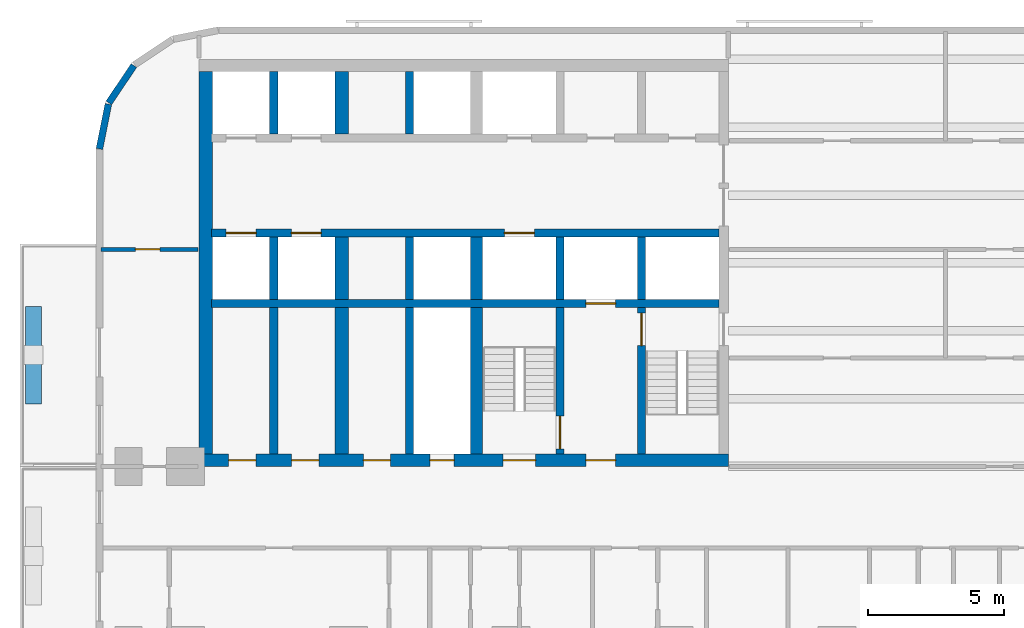
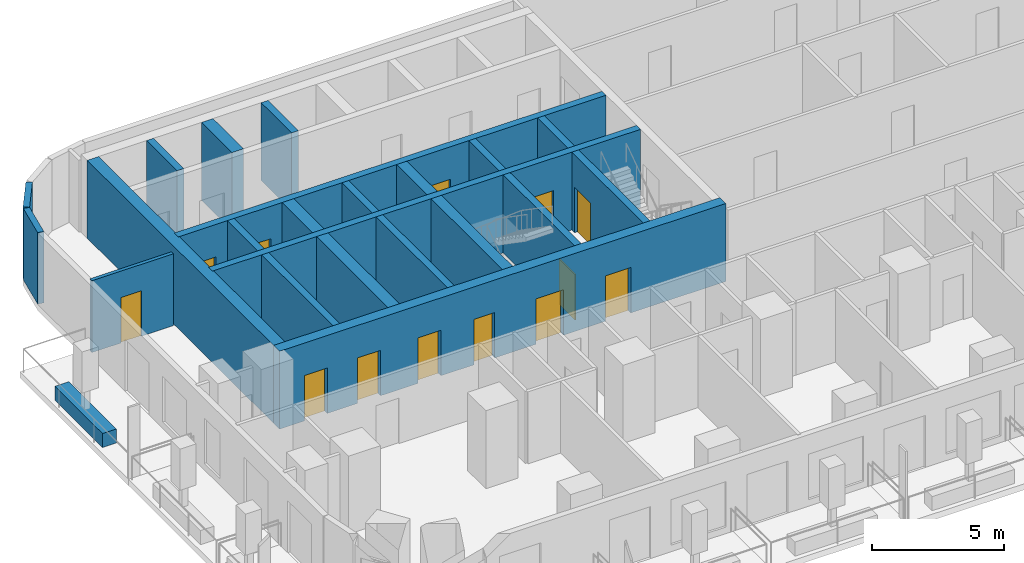
# One storey, part 3 of 14: 23 walls, 13 doors, 13 openings.
"""IFC4 building model written with IfcOpenShell, lengths in metres."""

from ifc_helpers import new_model, si_unit, direction, frame, frame_2d, origin, place, context, subcontext, project, spatial, rectangle, extrude, material, layer, layer_set, type_object, element, fill, save


model = new_model("IFC4")

# Units and contexts
model_context = context("Model", 3, precision=1e-05, world=origin(), true_north=direction((0.0, 1.0)))
body_context = subcontext(model_context, "Body", "Model", "MODEL_VIEW")
ifc_project = project(units=[si_unit("LENGTHUNIT", "METRE"), si_unit("AREAUNIT", "SQUARE_METRE"), si_unit("VOLUMEUNIT", "CUBIC_METRE"), si_unit("PLANEANGLEUNIT", "RADIAN"), si_unit("MASSUNIT", "GRAM", prefix="KILO")], contexts=[model_context])

# Site, building, storey
site_placement = place(None, origin())
site = spatial("IfcSite", under=ifc_project, at=site_placement, CompositionType="ELEMENT")
building_placement = place(site_placement, origin())
building = spatial("IfcBuilding", under=site, at=building_placement, Name="Torana Hotel and Residences", CompositionType="ELEMENT")
storey_placement = place(building_placement, frame((0.0, 0.0, 103.199951171875)))
storey = spatial("IfcBuildingStorey", under=building, at=storey_placement, Name="L26", CompositionType="ELEMENT", Elevation=103.199951171875)

# Wall, openings, doors
ifc_material_1 = material(Name="Concrete C80/95", Category="concrete")
ifc_layer_1 = layer(ifc_material_1, 0.300048828125)
ifc_layer_set_1 = layer_set([ifc_layer_1], Name="CORE WALL 300 C80/95")
wall_type_1 = type_object("IfcWallType", Name="CORE WALL 300 C80/95", PredefinedType="SHEAR", material=ifc_layer_set_1)
wall_1_placement = place(storey_placement, frame((-29.050048828125, -6.39990234375, 0.0), z_axis=(0.0, 0.0, 1.0), x_axis=(1.0, 0.0, 0.0)))
wall_1 = element("IfcWall", 1, at=wall_1_placement, inside=storey, type_object=wall_type_1, Name="Core wall W row-S", PredefinedType="SHEAR", context=body_context, shape_type="SweptSolid", body=[
    extrude(rectangle(XDim=18.699951171875, YDim=0.300048828125, at=frame_2d((9.35009765625, 0.0))), origin(), (0.0, 0.0, 1.0), 3.60009765625),
])
opening_1_placement = place(wall_1_placement, frame((2.949951171875, 0.0, 0.0)))
opening_1 = element("IfcOpeningElement", 2, at=opening_1_placement, cuts=wall_1, Name="Opening LD", PredefinedType="OPENING", context=body_context, shape_type="SweptSolid", body=[
    extrude(rectangle(XDim=1.10009765625, YDim=2.10009765625, at=frame_2d((0.550048828125, 1.050048828125))), frame((0.0, 0.159912109375, 0.0), z_axis=(0.0, -1.0, 0.0), x_axis=(1.0, 0.0, 0.0)), (0.0, 0.0, 1.0), 0.320068359375),
])
opening_2_placement = place(wall_1_placement, frame((0.550048828125, 0.0, 0.0)))
opening_2 = element("IfcOpeningElement", 3, at=opening_2_placement, cuts=wall_1, Name="Opening LD", PredefinedType="OPENING", context=body_context, shape_type="SweptSolid", body=[
    extrude(rectangle(XDim=1.10009765625, YDim=2.10009765625, at=frame_2d((0.550048828125, 1.050048828125))), frame((0.0, 0.159912109375, 0.0), z_axis=(0.0, -1.0, 0.0), x_axis=(1.0, 0.0, 0.0)), (0.0, 0.0, 1.0), 0.320068359375),
])
opening_3_placement = place(wall_1_placement, frame((10.800048828125, 0.0, 0.0)))
opening_3 = element("IfcOpeningElement", 4, at=opening_3_placement, cuts=wall_1, Name="Opening LD", PredefinedType="OPENING", context=body_context, shape_type="SweptSolid", body=[
    extrude(rectangle(XDim=1.10009765625, YDim=2.10009765625, at=frame_2d((0.550048828125, 1.050048828125))), frame((0.0, 0.159912109375, 0.0), z_axis=(0.0, -1.0, 0.0), x_axis=(1.0, 0.0, 0.0)), (0.0, 0.0, 1.0), 0.320068359375),
])
ifc_material_2 = material(Name="Stainless steel 316", Category="steel")
door_type_1 = type_object("IfcDoorType", Name="LIFT LANDING DOOR LD 1100x2100", OperationType="DOUBLE_DOOR_SLIDING", PredefinedType="USERDEFINED", material=ifc_material_2)
door_1_placement = place(opening_1_placement, origin())
door_1 = element("IfcDoor", 5, at=door_1_placement, inside=storey, type_object=door_type_1, Name="Lift landing door L3 L26", ObjectType="LIFT LANDING DOOR", OperationType="DOUBLE_DOOR_SLIDING", OverallHeight=2.10009765625, OverallWidth=1.10009765625, PredefinedType="USERDEFINED", context=body_context, shape_type="SweptSolid", body=[
    extrude(rectangle(XDim=1.10009765625, YDim=2.10009765625, at=frame_2d((0.550048828125, 1.050048828125))), frame((0.0, 0.02490234375, 0.0), z_axis=(0.0, -1.0, 0.0), x_axis=(1.0, 0.0, 0.0)), (0.0, 0.0, 1.0), 0.050048828125),
])
fill(opening_1, door_1)
door_2_placement = place(opening_2_placement, origin())
door_2 = element("IfcDoor", 6, at=door_2_placement, inside=storey, type_object=door_type_1, Name="Lift landing door L4 L26", ObjectType="LIFT LANDING DOOR", OperationType="DOUBLE_DOOR_SLIDING", OverallHeight=2.10009765625, OverallWidth=1.10009765625, PredefinedType="USERDEFINED", context=body_context, shape_type="SweptSolid", body=[
    extrude(rectangle(XDim=1.10009765625, YDim=2.10009765625, at=frame_2d((0.550048828125, 1.050048828125))), frame((0.0, 0.02490234375, 0.0), z_axis=(0.0, -1.0, 0.0), x_axis=(1.0, 0.0, 0.0)), (0.0, 0.0, 1.0), 0.050048828125),
])
fill(opening_2, door_2)
door_3_placement = place(opening_3_placement, origin())
door_3 = element("IfcDoor", 7, at=door_3_placement, inside=storey, type_object=door_type_1, Name="Lift landing door SV1 L26", ObjectType="LIFT LANDING DOOR", OperationType="DOUBLE_DOOR_SLIDING", OverallHeight=2.10009765625, OverallWidth=1.10009765625, PredefinedType="USERDEFINED", context=body_context, shape_type="SweptSolid", body=[
    extrude(rectangle(XDim=1.10009765625, YDim=2.10009765625, at=frame_2d((0.550048828125, 1.050048828125))), frame((0.0, 0.02490234375, 0.0), z_axis=(0.0, -1.0, 0.0), x_axis=(1.0, 0.0, 0.0)), (0.0, 0.0, 1.0), 0.050048828125),
])
fill(opening_3, door_3)

# Wall, opening, door
wall_2_placement = place(storey_placement, frame((-29.050048828125, -9.0, 0.0), z_axis=(0.0, 0.0, 1.0), x_axis=(1.0, 0.0, 0.0)))
wall_2 = element("IfcWall", 8, at=wall_2_placement, inside=storey, type_object=wall_type_1, Name="Core wall W band", PredefinedType="SHEAR", context=body_context, shape_type="SweptSolid", body=[
    extrude(rectangle(XDim=18.699951171875, YDim=0.300048828125, at=frame_2d((9.35009765625, 0.0))), origin(), (0.0, 0.0, 1.0), 3.60009765625),
])
opening_4_placement = place(wall_2_placement, frame((13.800048828125, 0.0, 0.0)))
opening_4 = element("IfcOpeningElement", 9, at=opening_4_placement, cuts=wall_2, Name="Opening LD", PredefinedType="OPENING", context=body_context, shape_type="SweptSolid", body=[
    extrude(rectangle(XDim=1.10009765625, YDim=2.10009765625, at=frame_2d((0.550048828125, 1.050048828125))), frame((0.0, 0.159912109375, 0.0), z_axis=(0.0, -1.0, 0.0), x_axis=(1.0, 0.0, 0.0)), (0.0, 0.0, 1.0), 0.320068359375),
])
door_4_placement = place(opening_4_placement, origin())
door_4 = element("IfcDoor", 10, at=door_4_placement, inside=storey, type_object=door_type_1, Name="Lift landing door FF1 L26", ObjectType="LIFT LANDING DOOR", OperationType="DOUBLE_DOOR_SLIDING", OverallHeight=2.10009765625, OverallWidth=1.10009765625, PredefinedType="USERDEFINED", context=body_context, shape_type="SweptSolid", body=[
    extrude(rectangle(XDim=1.10009765625, YDim=2.10009765625, at=frame_2d((0.550048828125, 1.050048828125))), frame((0.0, 0.02490234375, 0.0), z_axis=(0.0, -1.0, 0.0), x_axis=(1.0, 0.0, 0.0)), (0.0, 0.0, 1.0), 0.050048828125),
])
fill(opening_4, door_4)

# Wall
wall_3_placement = place(storey_placement, frame((-13.199951171875, -8.85009765625, 0.0), z_axis=(0.0, 0.0, 1.0), x_axis=(0.0, 1.0, 0.0)))
element("IfcWall", 11, at=wall_3_placement, inside=storey, type_object=wall_type_1, Name="Core wall W x3.05-S", PredefinedType="SHEAR", context=body_context, shape_type="SweptSolid", body=[
    extrude(rectangle(XDim=2.300048828125, YDim=0.300048828125, at=frame_2d((1.14990234375, 0.0))), origin(), (0.0, 0.0, 1.0), 3.60009765625),
])

# Wall, opening, door
wall_4_placement = place(storey_placement, frame((-13.199951171875, -14.550048828125, 0.0), z_axis=(0.0, 0.0, 1.0), x_axis=(0.0, 1.0, 0.0)))
wall_4 = element("IfcWall", 12, at=wall_4_placement, inside=storey, type_object=wall_type_1, Name="Core wall W x3.05-band", PredefinedType="SHEAR", context=body_context, shape_type="SweptSolid", body=[
    extrude(rectangle(XDim=5.400146484375, YDim=0.300048828125, at=frame_2d((2.7001953125, 0.0))), origin(), (0.0, 0.0, 1.0), 3.60009765625),
])
opening_5_placement = place(wall_4_placement, frame((4.0, 0.0, 0.0)))
opening_5 = element("IfcOpeningElement", 13, at=opening_5_placement, cuts=wall_4, Name="Opening L26-13", PredefinedType="OPENING", context=body_context, shape_type="SweptSolid", body=[
    extrude(rectangle(XDim=1.199951171875, YDim=2.10009765625, at=frame_2d((0.60009765625, 1.050048828125))), frame((0.0, 0.159912109375, 0.0), z_axis=(0.0, -1.0, 0.0), x_axis=(1.0, 0.0, 0.0)), (0.0, 0.0, 1.0), 0.320068359375),
])
ifc_material_3 = material(Name="Steel S235", Category="steel")
door_type_2 = type_object("IfcDoorType", Name="STAIR FIRE DOOR D3 1200x2100", OperationType="SINGLE_SWING_LEFT", PredefinedType="DOOR", material=ifc_material_3)
door_5_placement = place(opening_5_placement, frame((0.60009765625, 0.0, 0.0), z_axis=(0.0, 0.0, 1.0), x_axis=(-1.0, 0.0, 0.0)))
door_5 = element("IfcDoor", 14, at=door_5_placement, inside=storey, type_object=door_type_2, Name="Stair-A-lobby door L26", OperationType="SINGLE_SWING_RIGHT", OverallHeight=2.10009765625, OverallWidth=1.199951171875, PredefinedType="DOOR", context=body_context, shape_type="SweptSolid", body=[
    extrude(rectangle(XDim=1.199951171875, YDim=2.10009765625, at=frame_2d((0.0, 1.050048828125))), frame((0.0, -0.02490234375, 0.0), z_axis=(0.0, 1.0, 0.0), x_axis=(-1.0, 0.0, 0.0)), (0.0, 0.0, 1.0), 0.050048828125),
])
fill(opening_5, door_5)

# Wall
wall_5_placement = place(storey_placement, frame((-16.199951171875, -8.85009765625, 0.0), z_axis=(0.0, 0.0, 1.0), x_axis=(0.0, 1.0, 0.0)))
element("IfcWall", 15, at=wall_5_placement, inside=storey, type_object=wall_type_1, Name="Core wall W x6.05-S", PredefinedType="SHEAR", context=body_context, shape_type="SweptSolid", body=[
    extrude(rectangle(XDim=2.300048828125, YDim=0.300048828125, at=frame_2d((1.14990234375, 0.0))), origin(), (0.0, 0.0, 1.0), 3.60009765625),
])

# Wall, opening, door
wall_6_placement = place(storey_placement, frame((-16.199951171875, -14.550048828125, 0.0), z_axis=(0.0, 0.0, 1.0), x_axis=(0.0, 1.0, 0.0)))
wall_6 = element("IfcWall", 16, at=wall_6_placement, inside=storey, type_object=wall_type_1, Name="Core wall W x6.05-band", PredefinedType="SHEAR", context=body_context, shape_type="SweptSolid", body=[
    extrude(rectangle(XDim=5.400146484375, YDim=0.300048828125, at=frame_2d((2.7001953125, 0.0))), origin(), (0.0, 0.0, 1.0), 3.60009765625),
])
opening_6_placement = place(wall_6_placement, frame((0.199951171875, 0.0, 0.0)))
opening_6 = element("IfcOpeningElement", 17, at=opening_6_placement, cuts=wall_6, Name="Opening L26-14", PredefinedType="OPENING", context=body_context, shape_type="SweptSolid", body=[
    extrude(rectangle(XDim=1.199951171875, YDim=2.10009765625, at=frame_2d((0.60009765625, 1.050048828125))), frame((0.0, 0.159912109375, 0.0), z_axis=(0.0, -1.0, 0.0), x_axis=(1.0, 0.0, 0.0)), (0.0, 0.0, 1.0), 0.320068359375),
])
door_6_placement = place(opening_6_placement, origin())
door_6 = element("IfcDoor", 18, at=door_6_placement, inside=storey, type_object=door_type_2, Name="Stair-B-lobby door L26", OperationType="SINGLE_SWING_RIGHT", OverallHeight=2.10009765625, OverallWidth=1.199951171875, PredefinedType="DOOR", context=body_context, shape_type="SweptSolid", body=[
    extrude(rectangle(XDim=1.199951171875, YDim=2.10009765625, at=frame_2d((0.60009765625, 1.050048828125))), frame((0.0, 0.02490234375, 0.0), z_axis=(0.0, -1.0, 0.0), x_axis=(1.0, 0.0, 0.0)), (0.0, 0.0, 1.0), 0.050048828125),
])
fill(opening_6, door_6)

# Walls
for number, where, z_axis, x_axis, name in (
    (19, (-21.75, -2.75, 0.0), (0.0, 0.0, 1.0), (0.0, 1.0, 0.0), "Core wall W mm-N"),
    (20, (-21.75, -8.85009765625, 0.0), (0.0, 0.0, 1.0), (0.0, 1.0, 0.0), "Core wall W mm-S"),
):
    element("IfcWall", number, at=place(storey_placement, frame(where, z_axis=z_axis, x_axis=x_axis)), inside=storey, type_object=wall_type_1, Name=name, PredefinedType="SHEAR", context=body_context, shape_type="SweptSolid", body=[
        extrude(rectangle(XDim=2.300048828125, YDim=0.300048828125, at=frame_2d((1.14990234375, 0.0))), origin(), (0.0, 0.0, 1.0), 3.60009765625),
    ])
wall_7_placement = place(storey_placement, frame((-21.75, -14.550048828125, 0.0), z_axis=(0.0, 0.0, 1.0), x_axis=(0.0, 1.0, 0.0)))
element("IfcWall", 21, at=wall_7_placement, inside=storey, type_object=wall_type_1, Name="Core wall W mm-band", PredefinedType="SHEAR", context=body_context, shape_type="SweptSolid", body=[
    extrude(rectangle(XDim=5.400146484375, YDim=0.300048828125, at=frame_2d((2.7001953125, 0.0))), origin(), (0.0, 0.0, 1.0), 3.60009765625),
])
for number, where, z_axis, x_axis, name in (
    (22, (-26.75, -2.75, 0.0), (0.0, 0.0, 1.0), (0.0, 1.0, 0.0), "Core wall W ll-N"),
    (23, (-26.75, -8.85009765625, 0.0), (0.0, 0.0, 1.0), (0.0, 1.0, 0.0), "Core wall W ll-S"),
):
    element("IfcWall", number, at=place(storey_placement, frame(where, z_axis=z_axis, x_axis=x_axis)), inside=storey, type_object=wall_type_1, Name=name, PredefinedType="SHEAR", context=body_context, shape_type="SweptSolid", body=[
        extrude(rectangle(XDim=2.300048828125, YDim=0.300048828125, at=frame_2d((1.14990234375, 0.0))), origin(), (0.0, 0.0, 1.0), 3.60009765625),
    ])
wall_8_placement = place(storey_placement, frame((-26.75, -14.550048828125, 0.0), z_axis=(0.0, 0.0, 1.0), x_axis=(0.0, 1.0, 0.0)))
element("IfcWall", 24, at=wall_8_placement, inside=storey, type_object=wall_type_1, Name="Core wall W ll-band", PredefinedType="SHEAR", context=body_context, shape_type="SweptSolid", body=[
    extrude(rectangle(XDim=5.400146484375, YDim=0.300048828125, at=frame_2d((2.7001953125, 0.0))), origin(), (0.0, 0.0, 1.0), 3.60009765625),
])

# Wall, openings, doors
ifc_material_4 = material(Name="Concrete C80/95", Category="concrete")
ifc_layer_2 = layer(ifc_material_4, 0.449951171875)
ifc_layer_set_2 = layer_set([ifc_layer_2], Name="CORE WALL 450 C80/95")
wall_type_2 = type_object("IfcWallType", Name="CORE WALL 450 C80/95", PredefinedType="SHEAR", material=ifc_layer_set_2)
wall_9_placement = place(storey_placement, frame((-29.5, -14.77490234375, 0.0), z_axis=(0.0, 0.0, 1.0), x_axis=(1.0, 0.0, 0.0)))
wall_9 = element("IfcWall", 25, at=wall_9_placement, inside=storey, type_object=wall_type_2, Name="Core wall W front", PredefinedType="SHEAR", context=body_context, shape_type="SweptSolid", body=[
    extrude(rectangle(XDim=19.5, YDim=0.449951171875, at=frame_2d((9.75, 0.0))), origin(), (0.0, 0.0, 1.0), 3.60009765625),
])
opening_7_placement = place(wall_9_placement, frame((11.199951171875, 0.0, 0.0)))
opening_7 = element("IfcOpeningElement", 26, at=opening_7_placement, cuts=wall_9, Name="Opening L26-04", PredefinedType="OPENING", context=body_context, shape_type="SweptSolid", body=[
    extrude(rectangle(XDim=1.199951171875, YDim=2.10009765625, at=frame_2d((0.60009765625, 1.050048828125))), frame((0.0, 0.23486328125, 0.0), z_axis=(0.0, -1.0, 0.0), x_axis=(1.0, 0.0, 0.0)), (0.0, 0.0, 1.0), 0.469970703125),
])
opening_8_placement = place(wall_9_placement, frame((14.25, 0.0, 0.0)))
opening_8 = element("IfcOpeningElement", 27, at=opening_8_placement, cuts=wall_9, Name="Opening L26-05", PredefinedType="OPENING", context=body_context, shape_type="SweptSolid", body=[
    extrude(rectangle(XDim=1.10009765625, YDim=2.10009765625, at=frame_2d((0.550048828125, 1.050048828125))), frame((0.0, 0.23486328125, 0.0), z_axis=(0.0, -1.0, 0.0), x_axis=(1.0, 0.0, 0.0)), (0.0, 0.0, 1.0), 0.469970703125),
])
opening_9_placement = place(wall_9_placement, frame((8.5, 0.0, 0.0)))
opening_9 = element("IfcOpeningElement", 28, at=opening_9_placement, cuts=wall_9, Name="Opening L26-06", PredefinedType="OPENING", context=body_context, shape_type="SweptSolid", body=[
    extrude(rectangle(XDim=0.89990234375, YDim=2.10009765625, at=frame_2d((0.449951171875, 1.050048828125))), frame((0.0, 0.23486328125, 0.0), z_axis=(0.0, -1.0, 0.0), x_axis=(1.0, 0.0, 0.0)), (0.0, 0.0, 1.0), 0.469970703125),
])
opening_10_placement = place(wall_9_placement, frame((6.050048828125, 0.0, 0.0)))
opening_10 = element("IfcOpeningElement", 29, at=opening_10_placement, cuts=wall_9, Name="Opening L26-07", PredefinedType="OPENING", context=body_context, shape_type="SweptSolid", body=[
    extrude(rectangle(XDim=1.0, YDim=2.10009765625, at=frame_2d((0.5, 1.050048828125))), frame((0.0, 0.23486328125, 0.0), z_axis=(0.0, -1.0, 0.0), x_axis=(1.0, 0.0, 0.0)), (0.0, 0.0, 1.0), 0.469970703125),
])
opening_11_placement = place(wall_9_placement, frame((3.41259765625, 0.0, 0.0)))
opening_11 = element("IfcOpeningElement", 30, at=opening_11_placement, cuts=wall_9, Name="Opening L26-08", PredefinedType="OPENING", context=body_context, shape_type="SweptSolid", body=[
    extrude(rectangle(XDim=1.0, YDim=2.10009765625, at=frame_2d((0.5, 1.050048828125))), frame((0.0, 0.23486328125, 0.0), z_axis=(0.0, -1.0, 0.0), x_axis=(1.0, 0.0, 0.0)), (0.0, 0.0, 1.0), 0.469970703125),
])
opening_12_placement = place(wall_9_placement, frame((1.08740234375, 0.0, 0.0)))
opening_12 = element("IfcOpeningElement", 31, at=opening_12_placement, cuts=wall_9, Name="Opening L26-09", PredefinedType="OPENING", context=body_context, shape_type="SweptSolid", body=[
    extrude(rectangle(XDim=1.0, YDim=2.10009765625, at=frame_2d((0.5, 1.050048828125))), frame((0.0, 0.23486328125, 0.0), z_axis=(0.0, -1.0, 0.0), x_axis=(1.0, 0.0, 0.0)), (0.0, 0.0, 1.0), 0.469970703125),
])
ifc_material_5 = material(Name="Steel S235", Category="steel")
door_type_3 = type_object("IfcDoorType", Name="CORE ROOM FIRE DOOR D14 1000x2100", OperationType="SINGLE_SWING_LEFT", PredefinedType="DOOR", material=ifc_material_5)
door_7_placement = place(opening_10_placement, origin())
door_7 = element("IfcDoor", 32, at=door_7_placement, inside=storey, type_object=door_type_3, Name="M-Room door L26", OperationType="SINGLE_SWING_RIGHT", OverallHeight=2.10009765625, OverallWidth=1.0, PredefinedType="DOOR", context=body_context, shape_type="SweptSolid", body=[
    extrude(rectangle(XDim=1.0, YDim=2.10009765625, at=frame_2d((0.5, 1.050048828125))), frame((0.0, 0.02490234375, 0.0), z_axis=(0.0, -1.0, 0.0), x_axis=(1.0, 0.0, 0.0)), (0.0, 0.0, 1.0), 0.050048828125),
])
fill(opening_10, door_7)
door_8_placement = place(opening_11_placement, origin())
door_8 = element("IfcDoor", 33, at=door_8_placement, inside=storey, type_object=door_type_3, Name="L-A door L26", OperationType="SINGLE_SWING_RIGHT", OverallHeight=2.10009765625, OverallWidth=1.0, PredefinedType="DOOR", context=body_context, shape_type="SweptSolid", body=[
    extrude(rectangle(XDim=1.0, YDim=2.10009765625, at=frame_2d((0.5, 1.050048828125))), frame((0.0, 0.02490234375, 0.0), z_axis=(0.0, -1.0, 0.0), x_axis=(1.0, 0.0, 0.0)), (0.0, 0.0, 1.0), 0.050048828125),
])
fill(opening_11, door_8)
door_9_placement = place(opening_12_placement, origin())
door_9 = element("IfcDoor", 34, at=door_9_placement, inside=storey, type_object=door_type_3, Name="L-B door L26", OperationType="SINGLE_SWING_RIGHT", OverallHeight=2.10009765625, OverallWidth=1.0, PredefinedType="DOOR", context=body_context, shape_type="SweptSolid", body=[
    extrude(rectangle(XDim=1.0, YDim=2.10009765625, at=frame_2d((0.5, 1.050048828125))), frame((0.0, 0.02490234375, 0.0), z_axis=(0.0, -1.0, 0.0), x_axis=(1.0, 0.0, 0.0)), (0.0, 0.0, 1.0), 0.050048828125),
])
fill(opening_12, door_9)
ifc_material_6 = material(Name="Steel S235", Category="steel")
door_type_4 = type_object("IfcDoorType", Name="FIRE-FIGHTING LOBBY DOOR D8 1100x2100", OperationType="SINGLE_SWING_LEFT", PredefinedType="DOOR", material=ifc_material_6)
door_10_placement = place(opening_8_placement, origin())
door_10 = element("IfcDoor", 35, at=door_10_placement, inside=storey, type_object=door_type_4, Name="FF-lobby door L26", OperationType="SINGLE_SWING_RIGHT", OverallHeight=2.10009765625, OverallWidth=1.10009765625, PredefinedType="DOOR", context=body_context, shape_type="SweptSolid", body=[
    extrude(rectangle(XDim=1.10009765625, YDim=2.10009765625, at=frame_2d((0.550048828125, 1.050048828125))), frame((0.0, 0.02490234375, 0.0), z_axis=(0.0, -1.0, 0.0), x_axis=(1.0, 0.0, 0.0)), (0.0, 0.0, 1.0), 0.050048828125),
])
fill(opening_8, door_10)
ifc_material_7 = material(Name="Steel S235", Category="steel")
door_type_5 = type_object("IfcDoorType", Name="RISER ACCESS DOOR D5 900x2100", OperationType="SINGLE_SWING_LEFT", PredefinedType="DOOR", material=ifc_material_7)
door_11_placement = place(opening_9_placement, origin())
door_11 = element("IfcDoor", 36, at=door_11_placement, inside=storey, type_object=door_type_5, Name="M-Riser door L26", OperationType="SINGLE_SWING_RIGHT", OverallHeight=2.10009765625, OverallWidth=0.89990234375, PredefinedType="DOOR", context=body_context, shape_type="SweptSolid", body=[
    extrude(rectangle(XDim=0.89990234375, YDim=2.10009765625, at=frame_2d((0.449951171875, 1.050048828125))), frame((0.0, 0.02490234375, 0.0), z_axis=(0.0, -1.0, 0.0), x_axis=(1.0, 0.0, 0.0)), (0.0, 0.0, 1.0), 0.050048828125),
])
fill(opening_9, door_11)
door_12_placement = place(opening_7_placement, origin())
door_12 = element("IfcDoor", 37, at=door_12_placement, inside=storey, type_object=door_type_2, Name="Stair-B door L26", OperationType="SINGLE_SWING_RIGHT", OverallHeight=2.10009765625, OverallWidth=1.199951171875, PredefinedType="DOOR", context=body_context, shape_type="SweptSolid", body=[
    extrude(rectangle(XDim=1.199951171875, YDim=2.10009765625, at=frame_2d((0.60009765625, 1.050048828125))), frame((0.0, 0.02490234375, 0.0), z_axis=(0.0, -1.0, 0.0), x_axis=(1.0, 0.0, 0.0)), (0.0, 0.0, 1.0), 0.050048828125),
])
fill(opening_7, door_12)

# Walls
wall_10_placement = place(storey_placement, frame((-19.27490234375, -8.85009765625, 0.0), z_axis=(0.0, 0.0, 1.0), x_axis=(0.0, 1.0, 0.0)))
element("IfcWall", 38, at=wall_10_placement, inside=storey, type_object=wall_type_2, Name="Core wall W hm-S", PredefinedType="SHEAR", context=body_context, shape_type="SweptSolid", body=[
    extrude(rectangle(XDim=2.300048828125, YDim=0.449951171875, at=frame_2d((1.14990234375, 0.0))), origin(), (0.0, 0.0, 1.0), 3.60009765625),
])
wall_11_placement = place(storey_placement, frame((-19.27490234375, -14.550048828125, 0.0), z_axis=(0.0, 0.0, 1.0), x_axis=(0.0, 1.0, 0.0)))
element("IfcWall", 39, at=wall_11_placement, inside=storey, type_object=wall_type_2, Name="Core wall W hm-band", PredefinedType="SHEAR", context=body_context, shape_type="SweptSolid", body=[
    extrude(rectangle(XDim=5.400146484375, YDim=0.449951171875, at=frame_2d((2.7001953125, 0.0))), origin(), (0.0, 0.0, 1.0), 3.60009765625),
])
ifc_material_8 = material(Name="Concrete C80/95", Category="concrete")
ifc_layer_3 = layer(ifc_material_8, 0.5)
ifc_layer_set_3 = layer_set([ifc_layer_3], Name="CORE WALL 500 C80/95")
wall_type_3 = type_object("IfcWallType", Name="CORE WALL 500 C80/95", PredefinedType="SHEAR", material=ifc_layer_set_3)
wall_12_placement = place(storey_placement, frame((-29.25, -14.550048828125, 0.0), z_axis=(0.0, 0.0, 1.0), x_axis=(0.0, 1.0, 0.0)))
element("IfcWall", 40, at=wall_12_placement, inside=storey, type_object=wall_type_3, Name="Core wall W outer", PredefinedType="SHEAR", context=body_context, shape_type="SweptSolid", body=[
    extrude(rectangle(XDim=14.10009765625, YDim=0.5, at=frame_2d((7.050048828125, 0.0))), origin(), (0.0, 0.0, 1.0), 3.60009765625),
])
for number, where, z_axis, x_axis, name in (
    (41, (-24.25, -2.75, 0.0), (0.0, 0.0, 1.0), (0.0, 1.0, 0.0), "Core wall W ml-N"),
    (42, (-24.25, -8.85009765625, 0.0), (0.0, 0.0, 1.0), (0.0, 1.0, 0.0), "Core wall W ml-S"),
):
    element("IfcWall", number, at=place(storey_placement, frame(where, z_axis=z_axis, x_axis=x_axis)), inside=storey, type_object=wall_type_3, Name=name, PredefinedType="SHEAR", context=body_context, shape_type="SweptSolid", body=[
        extrude(rectangle(XDim=2.300048828125, YDim=0.5, at=frame_2d((1.14990234375, 0.0))), origin(), (0.0, 0.0, 1.0), 3.60009765625),
    ])
wall_13_placement = place(storey_placement, frame((-24.25, -14.550048828125, 0.0), z_axis=(0.0, 0.0, 1.0), x_axis=(0.0, 1.0, 0.0)))
element("IfcWall", 43, at=wall_13_placement, inside=storey, type_object=wall_type_3, Name="Core wall W ml-band", PredefinedType="SHEAR", context=body_context, shape_type="SweptSolid", body=[
    extrude(rectangle(XDim=5.400146484375, YDim=0.5, at=frame_2d((2.7001953125, 0.0))), origin(), (0.0, 0.0, 1.0), 3.60009765625),
])
ifc_material_9 = material(Name="Black aluminium composite panel", Category="aluminium")
ifc_layer_4 = layer(ifc_material_9, 0.00390625, Name="Cladding", Category="cladding")
ifc_material_10 = material(Name="Ventilated air cavity")
ifc_layer_5 = layer(ifc_material_10, 0.0400390625, Name="Ventilated cavity", Category="cavity")
ifc_material_11 = material(Name="Mineral wool insulation")
ifc_layer_6 = layer(ifc_material_11, 0.090087890625, Name="Insulation", Category="insulation")
ifc_material_12 = material(Name="Steel S280GD", Category="steel")
ifc_layer_7 = layer(ifc_material_12, 0.092041015625, Name="Steel stud frame", Category="structure")
ifc_material_13 = material(Name="Fire rated plasterboard")
ifc_layer_8 = layer(ifc_material_13, 0.011962890625, Name="Inner board", Category="finish")
ifc_layer_9 = layer(ifc_material_13, 0.011962890625, Name="Second board", Category="finish")
ifc_layer_set_4 = layer_set([ifc_layer_4, ifc_layer_5, ifc_layer_6, ifc_layer_7, ifc_layer_8, ifc_layer_9], Name="EW1 EXTERNAL WALL BLACK METAL CLAD 250")
wall_type_4 = type_object("IfcWallType", Name="EW1 EXTERNAL WALL BLACK METAL CLAD 250", PredefinedType="SOLIDWALL", material=ifc_layer_set_4)
wall_14_placement = place(storey_placement, frame((-31.90576171875, -0.228759765625, 0.0), z_axis=(0.0, 0.0, 1.0), x_axis=(-0.55555029066, -0.831482937015, 0.0)))
element("IfcWall", 44, at=wall_14_placement, inside=storey, type_object=wall_type_4, Name="External wall L26 e0.7", PredefinedType="SOLIDWALL", context=body_context, shape_type="SweptSolid", body=[
    extrude(rectangle(XDim=1.65625, YDim=0.25, at=frame_2d((0.828125, 0.0))), origin(), (0.0, 0.0, 1.0), 3.300048828125),
])
wall_15_placement = place(storey_placement, frame((-32.844482421875, -1.651123046875, 0.0), z_axis=(0.0, 0.0, 1.0), x_axis=(-0.19513878023, -0.980775640221, 0.0)))
element("IfcWall", 45, at=wall_15_placement, inside=storey, type_object=wall_type_4, Name="External wall L26 e0.8", PredefinedType="SOLIDWALL", context=body_context, shape_type="SweptSolid", body=[
    extrude(rectangle(XDim=1.681396484375, YDim=0.25, at=frame_2d((0.8408203125, 0.0))), origin(), (0.0, 0.0, 1.0), 3.300048828125),
])

# Wall, opening, door
ifc_material_14 = material(Name="Gypsum plasterboard")
ifc_layer_10 = layer(ifc_material_14, 0.012451171875, Name="Plasterboard", Category="finish")
ifc_layer_11 = layer(ifc_material_14, 0.012451171875, Name="Plasterboard", Category="finish")
ifc_layer_12 = layer(ifc_material_12, 0.10009765625, Name="Steel studs with mineral wool", Category="insulation")
ifc_layer_13 = layer(ifc_material_14, 0.012451171875, Name="Plasterboard", Category="finish")
ifc_layer_14 = layer(ifc_material_14, 0.012451171875, Name="Plasterboard", Category="finish")
ifc_layer_set_5 = layer_set([ifc_layer_10, ifc_layer_11, ifc_layer_12, ifc_layer_13, ifc_layer_14], Name="PARTITION 150 PLASTERBOARD")
wall_type_5 = type_object("IfcWallType", Name="PARTITION 150 PLASTERBOARD", PredefinedType="PARTITIONING", material=ifc_layer_set_5)
wall_16_placement = place(storey_placement, frame((-33.1201171875, -7.0, 0.0), z_axis=(0.0, 0.0, 1.0), x_axis=(1.0, 0.0, 0.0)))
wall_16 = element("IfcWall", 46, at=wall_16_placement, inside=storey, type_object=wall_type_5, Name="Partition L26", PredefinedType="PARTITIONING", context=body_context, shape_type="SweptSolid", body=[
    extrude(rectangle(XDim=3.570068359375, YDim=0.14990234375, at=frame_2d((1.78515625, 0.0))), origin(), (0.0, 0.0, 1.0), 3.320068359375),
])
opening_13_placement = place(wall_16_placement, frame((1.27001953125, 0.0, 0.0)))
opening_13 = element("IfcOpeningElement", 47, at=opening_13_placement, cuts=wall_16, Name="Opening L26-67", PredefinedType="OPENING", context=body_context, shape_type="SweptSolid", body=[
    extrude(rectangle(XDim=0.89990234375, YDim=2.10009765625, at=frame_2d((0.449951171875, 1.050048828125))), frame((0.0, 0.0849609375, 0.0), z_axis=(0.0, -1.0, 0.0), x_axis=(1.0, 0.0, 0.0)), (0.0, 0.0, 1.0), 0.169921875),
])
ifc_material_15 = material(Name="Timber door, oiled ash", Category="wood")
door_type_6 = type_object("IfcDoorType", Name="ROOM DOOR D7 900x2100", OperationType="SINGLE_SWING_LEFT", PredefinedType="DOOR", material=ifc_material_15)
door_13_placement = place(opening_13_placement, origin())
door_13 = element("IfcDoor", 48, at=door_13_placement, inside=storey, type_object=door_type_6, Name="Door L26", OperationType="SINGLE_SWING_RIGHT", OverallHeight=2.10009765625, OverallWidth=0.89990234375, PredefinedType="DOOR", context=body_context, shape_type="SweptSolid", body=[
    extrude(rectangle(XDim=0.89990234375, YDim=2.10009765625, at=frame_2d((0.449951171875, 1.050048828125))), frame((0.0, 0.02490234375, 0.0), z_axis=(0.0, -1.0, 0.0), x_axis=(1.0, 0.0, 0.0)), (0.0, 0.0, 1.0), 0.050048828125),
])
fill(opening_13, door_13)

# Wall
ifc_material_16 = material(Name="Concrete C40/50 precast", Category="concrete")
ifc_layer_15 = layer(ifc_material_16, 0.10009765625, Name="Planter shell", Category="structure")
ifc_material_17 = material(Name="Root resistant membrane")
ifc_layer_16 = layer(ifc_material_17, 0.00390625, Name="Waterproofing membrane", Category="membrane")
ifc_material_18 = material(Name="Drainage board with filter fleece")
ifc_layer_17 = layer(ifc_material_18, 0.02001953125, Name="Drainage board", Category="drainage")
ifc_material_19 = material(Name="Growing medium")
ifc_layer_18 = layer(ifc_material_19, 0.47607421875, Name="Planting substrate", Category="soil")
ifc_layer_set_6 = layer_set([ifc_layer_15, ifc_layer_16, ifc_layer_17, ifc_layer_18], Name="PL1 BALCONY PLANTER 600")
wall_type_6 = type_object("IfcWallType", Name="PL1 BALCONY PLANTER 600", PredefinedType="USERDEFINED", material=ifc_layer_set_6)
wall_17_placement = place(storey_placement, frame((-35.60009765625, -12.699951171875, 0.0), z_axis=(0.0, 0.0, 1.0), x_axis=(0.0, 1.0, 0.0)))
element("IfcWall", 49, at=wall_17_placement, inside=storey, type_object=wall_type_6, Name="Planter 13", ObjectType="PLANTER", PredefinedType="USERDEFINED", context=body_context, shape_type="SweptSolid", body=[
    extrude(rectangle(XDim=3.599853515625, YDim=0.60009765625, at=frame_2d((1.7998046875, 0.0))), origin(), (0.0, 0.0, 1.0), 0.650146484375),
])

save(model, "model.ifc")
